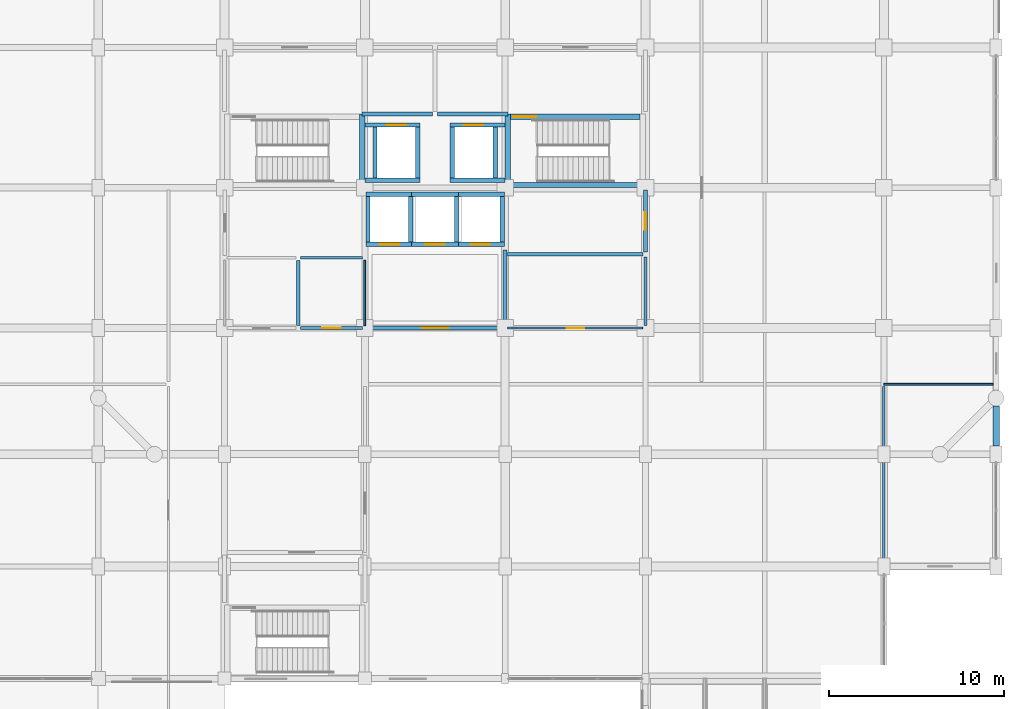
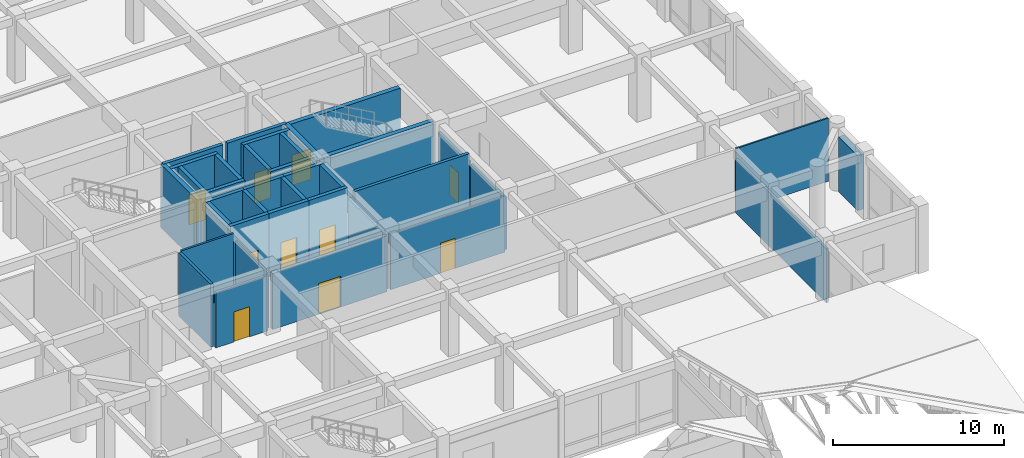
# One storey, part 54 of 61: 37 walls, 10 doors, 10 openings.
"""IFC4 building model written with IfcOpenShell, lengths in metres."""

from ifc_helpers import new_model, si_unit, direction, frame, frame_2d, origin, place, context, subcontext, project, spatial, rectangle, extrude, material, layer, layer_set, type_object, element, fill, save


model = new_model("IFC4")

# Units and contexts
model_context = context("Model", 3, precision=1e-05, world=origin(), true_north=direction((0.0, 1.0)))
body_context = subcontext(model_context, "Body", "Model", "MODEL_VIEW")
ifc_project = project(units=[si_unit("LENGTHUNIT", "METRE"), si_unit("AREAUNIT", "SQUARE_METRE"), si_unit("VOLUMEUNIT", "CUBIC_METRE"), si_unit("PLANEANGLEUNIT", "RADIAN"), si_unit("MASSUNIT", "GRAM", prefix="KILO")], contexts=[model_context])

# Site, building, storey
site_placement = place(None, origin())
site = spatial("IfcSite", under=ifc_project, at=site_placement, CompositionType="ELEMENT")
building_placement = place(site_placement, origin())
building = spatial("IfcBuilding", under=site, at=building_placement, Name="Vellmiral Cinema and Media Centre", CompositionType="ELEMENT")
storey_placement = place(building_placement, frame((0.0, 0.0, 10.800048828125)))
storey = spatial("IfcBuildingStorey", under=building, at=storey_placement, Name="L02", CompositionType="ELEMENT", Elevation=10.800048828125)

# Wall
ifc_material_1 = material(Name="Concrete C40/50", Category="concrete")
ifc_layer_1 = layer(ifc_material_1, 0.2099609375, Name="Concrete C40/50")
ifc_layer_set_1 = layer_set([ifc_layer_1], Name="Concrete C40/50")
wall_type_1 = type_object("IfcWallType", Name="WL-COMP-210", PredefinedType="SOLIDWALL", material=ifc_layer_set_1)
wall_1_placement = place(storey_placement, frame((140.139892578125, 83.39990234375, 0.0), z_axis=(0.0, 0.0, 1.0), x_axis=(1.0, 0.0, 0.0)))
element("IfcWall", 1, at=wall_1_placement, inside=storey, type_object=wall_type_1, Name="Mechanical Smoke Riser Room Wall S", PredefinedType="SOLIDWALL", context=body_context, shape_type="SweptSolid", body=[
    extrude(rectangle(XDim=7.72021484375, YDim=0.2099609375, at=frame_2d((3.860107421875, 0.0))), origin(), (0.0, 0.0, 1.0), 4.5),
])

# Wall, opening, door
wall_2_placement = place(storey_placement, frame((148.0, 83.5400390625, 0.0), z_axis=(0.0, 0.0, 1.0), x_axis=(0.0, 1.0, 0.0)))
wall_2 = element("IfcWall", 2, at=wall_2_placement, inside=storey, type_object=wall_type_1, Name="Mechanical Smoke Riser Room Wall E", PredefinedType="SOLIDWALL", context=body_context, shape_type="SweptSolid", body=[
    extrude(rectangle(XDim=3.52001953125, YDim=0.2099609375, at=frame_2d((1.760009765625, 0.0))), origin(), (0.0, 0.0, 1.0), 3.744873046875),
])
opening_1_placement = place(wall_2_placement, frame((1.260009765625, 0.0, 0.0)))
opening_1 = element("IfcOpeningElement", 3, at=opening_1_placement, cuts=wall_2, Name="Opening D-FD30B", PredefinedType="OPENING", context=body_context, shape_type="SweptSolid", body=[
    extrude(rectangle(XDim=1.0, YDim=2.14990234375, at=frame_2d((0.5, 1.074951171875))), frame((0.0, 0.116943359375, 0.0), z_axis=(0.0, -1.0, 0.0), x_axis=(1.0, 0.0, 0.0)), (0.0, 0.0, 1.0), 0.23388671875),
])
ifc_material_2 = material(Name="Steel Riser Fire Door", Category="steel")
door_type_1 = type_object("IfcDoorType", Name="DR-FD30-1000x2150", OperationType="NOTDEFINED", PredefinedType="DOOR", material=ifc_material_2)
door_1_placement = place(opening_1_placement, origin())
door_1 = element("IfcDoor", 4, at=door_1_placement, inside=storey, type_object=door_type_1, Name="Mechanical Smoke Riser Room Door", OperationType="SINGLE_SWING_RIGHT", OverallHeight=2.14990234375, OverallWidth=1.0, PredefinedType="DOOR", context=body_context, shape_type="SweptSolid", body=[
    extrude(rectangle(XDim=1.0, YDim=2.14990234375, at=frame_2d((0.5, 1.074951171875))), frame((0.0, 0.02490234375, 0.0), z_axis=(0.0, -1.0, 0.0), x_axis=(1.0, 0.0, 0.0)), (0.0, 0.0, 1.0), 0.050048828125),
])
fill(opening_1, door_1)

# Walls
ifc_material_3 = material(Name="Concrete C40/50", Category="concrete")
ifc_layer_2 = layer(ifc_material_3, 0.300048828125, Name="Concrete C40/50")
ifc_layer_set_2 = layer_set([ifc_layer_2], Name="Concrete C40/50")
wall_type_2 = type_object("IfcWallType", Name="WL-CORE-300", PredefinedType="SHEAR", material=ifc_layer_set_2)
for number, where, z_axis, x_axis, name in (
    (5, (131.85009765625, 87.199951171875, 0.0), (0.0, 0.0, 1.0), (0.0, 1.0, 0.0), "Stair Core Wall ST-T1 L02-E"),
    (6, (140.14990234375, 87.199951171875, 0.0), (0.0, 0.0, 1.0), (0.0, 1.0, 0.0), "Stair Core Wall ST-T2 L02-W"),
):
    element("IfcWall", number, at=place(storey_placement, frame(where, z_axis=z_axis, x_axis=x_axis)), inside=storey, type_object=wall_type_2, Name=name, PredefinedType="SHEAR", context=body_context, shape_type="SweptSolid", body=[
        extrude(rectangle(XDim=4.199951171875, YDim=0.300048828125, at=frame_2d((2.10009765625, 0.0))), origin(), (0.0, 0.0, 1.0), 4.5),
    ])
wall_3_placement = place(storey_placement, frame((140.300048828125, 87.35009765625, 0.0), z_axis=(0.0, 0.0, 1.0), x_axis=(1.0, 0.0, 0.0)))
element("IfcWall", 7, at=wall_3_placement, inside=storey, type_object=wall_type_2, Name="Stair Core Wall ST-T2 L02-S", PredefinedType="SHEAR", context=body_context, shape_type="SweptSolid", body=[
    extrude(rectangle(XDim=7.39990234375, YDim=0.300048828125, at=frame_2d((3.699951171875, 0.0))), origin(), (0.0, 0.0, 1.0), 4.5),
])

# Wall, opening, door
wall_4_placement = place(storey_placement, frame((140.300048828125, 91.25, 0.0), z_axis=(0.0, 0.0, 1.0), x_axis=(1.0, 0.0, 0.0)))
wall_4 = element("IfcWall", 8, at=wall_4_placement, inside=storey, type_object=wall_type_2, Name="Stair Core Wall ST-T2 L02-N", PredefinedType="SHEAR", context=body_context, shape_type="SweptSolid", body=[
    extrude(rectangle(XDim=7.39990234375, YDim=0.300048828125, at=frame_2d((3.699951171875, 0.0))), origin(), (0.0, 0.0, 1.0), 4.5),
])
opening_2_placement = place(wall_4_placement, frame((0.159912109375, 0.0, 0.0)))
opening_2 = element("IfcOpeningElement", 9, at=opening_2_placement, cuts=wall_4, Name="Opening D-FD30A", PredefinedType="OPENING", context=body_context, shape_type="SweptSolid", body=[
    extrude(rectangle(XDim=1.300048828125, YDim=2.179931640625, at=frame_2d((0.64990234375, 1.08984375))), frame((0.0, 0.162109375, 0.0), z_axis=(0.0, -1.0, 0.0), x_axis=(1.0, 0.0, 0.0)), (0.0, 0.0, 1.0), 0.323974609375),
])
ifc_material_4 = material(Name="Steel Stair Fire Door", Category="steel")
door_type_2 = type_object("IfcDoorType", Name="DR-FD30-1300x2180", OperationType="NOTDEFINED", PredefinedType="DOOR", material=ifc_material_4)
door_2_placement = place(opening_2_placement, frame((1.300048828125, 0.0, 0.0), z_axis=(0.0, 0.0, 1.0), x_axis=(-1.0, 0.0, 0.0)))
door_2 = element("IfcDoor", 10, at=door_2_placement, inside=storey, type_object=door_type_2, Name="Protected Stair Door ST-T2 L02", OperationType="SINGLE_SWING_RIGHT", OverallHeight=2.179931640625, OverallWidth=1.300048828125, PredefinedType="DOOR", context=body_context, shape_type="SweptSolid", body=[
    extrude(rectangle(XDim=1.300048828125, YDim=2.179931640625, at=frame_2d((0.64990234375, 1.08984375))), frame((0.0, 0.02490234375, 0.0), z_axis=(0.0, -1.0, 0.0), x_axis=(1.0, 0.0, 0.0)), (0.0, 0.0, 1.0), 0.050048828125),
])
fill(opening_2, door_2)

# Walls
ifc_material_5 = material(Name="Vosges Red Sandstone Masonry", Category="masonry")
ifc_layer_3 = layer(ifc_material_5, 0.3798828125, Name="Vosges Red Sandstone Masonry")
ifc_layer_set_3 = layer_set([ifc_layer_3], Name="Vosges Red Sandstone Masonry")
wall_type_3 = type_object("IfcWallType", Name="WL-EXT-SAND-380", PredefinedType="SOLIDWALL", material=ifc_layer_set_3)
wall_5_placement = place(storey_placement, frame((168.0, 72.47509765625, 0.0), z_axis=(0.0, 0.0, 1.0), x_axis=(0.0, 1.0, 0.0)))
element("IfcWall", 11, at=wall_5_placement, inside=storey, type_object=wall_type_3, Name="Exterior Facade Wall L02-044", PredefinedType="SOLIDWALL", context=body_context, shape_type="SweptSolid", body=[
    extrude(rectangle(XDim=2.27490234375, YDim=0.3798828125, at=frame_2d((1.137451171875, 0.0))), origin(), (0.0, 0.0, 1.0), 3.89990234375),
])
ifc_material_6 = material(Name="Concrete C40/50", Category="concrete")
ifc_layer_4 = layer(ifc_material_6, 0.22998046875, Name="Concrete C40/50")
ifc_layer_set_4 = layer_set([ifc_layer_4], Name="Concrete C40/50")
wall_type_4 = type_object("IfcWallType", Name="WL-FFL-230", PredefinedType="SOLIDWALL", material=ifc_layer_set_4)
for number, where, z_axis, x_axis, name in (
    (12, (131.840087890625, 91.39990234375, 0.0), (0.0, 0.0, 1.0), (1.0, 0.0, 0.0), "Firefighting Lobby West Wall S"),
    (13, (136.139892578125, 91.39990234375, 0.0), (0.0, 0.0, 1.0), (1.0, 0.0, 0.0), "Firefighting Lobby East Wall S"),
):
    element("IfcWall", number, at=place(storey_placement, frame(where, z_axis=z_axis, x_axis=x_axis)), inside=storey, type_object=wall_type_4, Name=name, PredefinedType="SOLIDWALL", context=body_context, shape_type="SweptSolid", body=[
        extrude(rectangle(XDim=4.02001953125, YDim=0.22998046875, at=frame_2d((2.010009765625, 0.0))), origin(), (0.0, 0.0, 1.0), 4.5),
    ])

# Wall, opening, door
wall_6_placement = place(storey_placement, frame((132.139892578125, 79.199951171875, 0.0), z_axis=(0.0, 0.0, 1.0), x_axis=(1.0, 0.0, 0.0)))
wall_6 = element("IfcWall", 14, at=wall_6_placement, inside=storey, type_object=wall_type_4, Name="Tower Passenger Lift Lobby Wall S", PredefinedType="SOLIDWALL", context=body_context, shape_type="SweptSolid", body=[
    extrude(rectangle(XDim=7.72021484375, YDim=0.22998046875, at=frame_2d((3.860107421875, 0.0))), origin(), (0.0, 0.0, 1.0), 3.994873046875),
])
opening_3_placement = place(wall_6_placement, frame((3.110107421875, 0.0, 0.0)))
opening_3 = element("IfcOpeningElement", 15, at=opening_3_placement, cuts=wall_6, Name="Opening D-FD30", PredefinedType="OPENING", context=body_context, shape_type="SweptSolid", body=[
    extrude(rectangle(XDim=1.5, YDim=2.199951171875, at=frame_2d((0.75, 1.10009765625))), frame((0.0, 0.126953125, 0.0), z_axis=(0.0, -1.0, 0.0), x_axis=(1.0, 0.0, 0.0)), (0.0, 0.0, 1.0), 0.25390625),
])
ifc_material_7 = material(Name="Timber-Core Fire Door", Category="wood")
door_type_3 = type_object("IfcDoorType", Name="DR-FD30-1500x2200", OperationType="DOUBLE_DOOR_SINGLE_SWING", PredefinedType="DOOR", material=ifc_material_7)
door_3_placement = place(opening_3_placement, frame((1.5, 0.0, 0.0), z_axis=(0.0, 0.0, 1.0), x_axis=(-1.0, 0.0, 0.0)))
door_3 = element("IfcDoor", 16, at=door_3_placement, inside=storey, type_object=door_type_3, Name="Tower Passenger Lift Lobby Door", OperationType="DOUBLE_DOOR_SINGLE_SWING", OverallHeight=2.199951171875, OverallWidth=1.5, PredefinedType="DOOR", context=body_context, shape_type="SweptSolid", body=[
    extrude(rectangle(XDim=1.5, YDim=2.199951171875, at=frame_2d((0.75, 1.10009765625))), frame((0.0, 0.02490234375, 0.0), z_axis=(0.0, -1.0, 0.0), x_axis=(1.0, 0.0, 0.0)), (0.0, 0.0, 1.0), 0.050048828125),
])
fill(opening_3, door_3)

# Walls
wall_7_placement = place(storey_placement, frame((140.0, 79.340087890625, 0.0), z_axis=(0.0, 0.0, 1.0), x_axis=(0.0, 1.0, 0.0)))
element("IfcWall", 17, at=wall_7_placement, inside=storey, type_object=wall_type_4, Name="Tower Passenger Lift Lobby Wall E", PredefinedType="SOLIDWALL", context=body_context, shape_type="SweptSolid", body=[
    extrude(rectangle(XDim=4.31982421875, YDim=0.22998046875, at=frame_2d((2.159912109375, 0.0))), origin(), (0.0, 0.0, 1.0), 3.89501953125),
])
ifc_material_8 = material(Name="Gypsum Plasterboard")
ifc_layer_5 = layer(ifc_material_8, 0.02490234375, Name="Gypsum Plasterboard", Category="gypsum")
ifc_material_9 = material(Name="Mineral Wool Acoustic Insulation", Category="insulation")
ifc_layer_6 = layer(ifc_material_9, 0.06005859375, Name="Mineral Wool Acoustic Insulation", Category="insulation")
ifc_layer_7 = layer(ifc_material_8, 0.02490234375, Name="Gypsum Plasterboard", Category="gypsum")
ifc_layer_set_5 = layer_set([ifc_layer_5, ifc_layer_6, ifc_layer_7], Name="Gypsum Plasterboard")
wall_type_5 = type_object("IfcWallType", Name="WL-PART-110", PredefinedType="PARTITIONING", material=ifc_layer_set_5)
wall_8_placement = place(storey_placement, frame((132.0, 79.340087890625, 0.0), z_axis=(0.0, 0.0, 1.0), x_axis=(0.0, 1.0, 0.0)))
element("IfcWall", 18, at=wall_8_placement, inside=storey, type_object=wall_type_5, Name="Accessible WC Wall E", PredefinedType="PARTITIONING", context=body_context, shape_type="SweptSolid", body=[
    extrude(rectangle(XDim=3.719970703125, YDim=0.110107421875, at=frame_2d((1.85986328125, 0.0))), origin(), (0.0, 0.0, 1.0), 3.994873046875),
])

# Wall, opening, door
wall_9_placement = place(storey_placement, frame((140.139892578125, 79.199951171875, 0.0), z_axis=(0.0, 0.0, 1.0), x_axis=(1.0, 0.0, 0.0)))
wall_9 = element("IfcWall", 19, at=wall_9_placement, inside=storey, type_object=wall_type_5, Name="Cleaner and Media Supply Store Wall S", PredefinedType="PARTITIONING", context=body_context, shape_type="SweptSolid", body=[
    extrude(rectangle(XDim=7.72021484375, YDim=0.110107421875, at=frame_2d((3.860107421875, 0.0))), origin(), (0.0, 0.0, 1.0), 3.994873046875),
])
opening_4_placement = place(wall_9_placement, frame((3.360107421875, 0.0, 0.0)))
opening_4 = element("IfcOpeningElement", 20, at=opening_4_placement, cuts=wall_9, Name="Opening D-I08", PredefinedType="OPENING", context=body_context, shape_type="SweptSolid", body=[
    extrude(rectangle(XDim=1.0, YDim=2.14990234375, at=frame_2d((0.5, 1.074951171875))), frame((0.0, 0.06689453125, 0.0), z_axis=(0.0, -1.0, 0.0), x_axis=(1.0, 0.0, 0.0)), (0.0, 0.0, 1.0), 0.134033203125),
])
ifc_material_10 = material(Name="Laminated Timber Door", Category="wood")
door_type_4 = type_object("IfcDoorType", Name="DR-INT-1000x2150", OperationType="NOTDEFINED", PredefinedType="DOOR", material=ifc_material_10)
door_4_placement = place(opening_4_placement, origin())
door_4 = element("IfcDoor", 21, at=door_4_placement, inside=storey, type_object=door_type_4, Name="Cleaner and Media Supply Store Door", OperationType="SINGLE_SWING_LEFT", OverallHeight=2.14990234375, OverallWidth=1.0, PredefinedType="DOOR", context=body_context, shape_type="SweptSolid", body=[
    extrude(rectangle(XDim=1.0, YDim=2.14990234375, at=frame_2d((0.5, 1.074951171875))), frame((0.0, 0.02490234375, 0.0), z_axis=(0.0, -1.0, 0.0), x_axis=(1.0, 0.0, 0.0)), (0.0, 0.0, 1.0), 0.050048828125),
])
fill(opening_4, door_4)

# Walls
wall_10_placement = place(storey_placement, frame((161.60009765625, 76.0, 0.0), z_axis=(0.0, 0.0, 1.0), x_axis=(1.0, 0.0, 0.0)))
element("IfcWall", 22, at=wall_10_placement, inside=storey, type_object=wall_type_5, Name="Tower L02 Broadcast Editorial Suite East Wall S", PredefinedType="PARTITIONING", context=body_context, shape_type="SweptSolid", body=[
    extrude(rectangle(XDim=6.224853515625, YDim=0.110107421875, at=frame_2d((3.1123046875, 0.0))), origin(), (0.0, 0.0, 1.0), 4.5),
])
ifc_material_11 = material(Name="Gypsum Plasterboard")
ifc_layer_8 = layer(ifc_material_11, 0.02490234375, Name="Gypsum Plasterboard", Category="gypsum")
ifc_material_12 = material(Name="Mineral Wool Acoustic Insulation", Category="insulation")
ifc_layer_9 = layer(ifc_material_12, 0.080078125, Name="Mineral Wool Acoustic Insulation", Category="insulation")
ifc_layer_10 = layer(ifc_material_11, 0.02490234375, Name="Gypsum Plasterboard", Category="gypsum")
ifc_layer_set_6 = layer_set([ifc_layer_8, ifc_layer_9, ifc_layer_10], Name="Gypsum Plasterboard")
wall_type_6 = type_object("IfcWallType", Name="WL-PART-130", PredefinedType="PARTITIONING", material=ifc_layer_set_6)
wall_11_placement = place(storey_placement, frame((128.340087890625, 83.199951171875, 0.0), z_axis=(0.0, 0.0, 1.0), x_axis=(1.0, 0.0, 0.0)))
element("IfcWall", 23, at=wall_11_placement, inside=storey, type_object=wall_type_6, Name="Accessible WC Wall N", PredefinedType="PARTITIONING", context=body_context, shape_type="SweptSolid", body=[
    extrude(rectangle(XDim=3.52001953125, YDim=0.1298828125, at=frame_2d((1.760009765625, 0.0))), origin(), (0.0, 0.0, 1.0), 4.5),
])

# Wall, opening, door
ifc_material_13 = material(Name="Gypsum Plasterboard")
ifc_layer_11 = layer(ifc_material_13, 0.02490234375, Name="Gypsum Plasterboard", Category="gypsum")
ifc_material_14 = material(Name="Mineral Wool Acoustic Insulation", Category="insulation")
ifc_layer_12 = layer(ifc_material_14, 0.10009765625, Name="Mineral Wool Acoustic Insulation", Category="insulation")
ifc_layer_13 = layer(ifc_material_13, 0.02490234375, Name="Gypsum Plasterboard", Category="gypsum")
ifc_layer_set_7 = layer_set([ifc_layer_11, ifc_layer_12, ifc_layer_13], Name="Gypsum Plasterboard")
wall_type_7 = type_object("IfcWallType", Name="WL-PART-150", PredefinedType="PARTITIONING", material=ifc_layer_set_7)
wall_12_placement = place(storey_placement, frame((128.340087890625, 79.199951171875, 0.0), z_axis=(0.0, 0.0, 1.0), x_axis=(1.0, 0.0, 0.0)))
wall_12 = element("IfcWall", 24, at=wall_12_placement, inside=storey, type_object=wall_type_7, Name="Accessible WC Wall S", PredefinedType="PARTITIONING", context=body_context, shape_type="SweptSolid", body=[
    extrude(rectangle(XDim=3.52001953125, YDim=0.14990234375, at=frame_2d((1.760009765625, 0.0))), origin(), (0.0, 0.0, 1.0), 3.945068359375),
])
opening_5_placement = place(wall_12_placement, frame((1.235107421875, 0.0, 0.0)))
opening_5 = element("IfcOpeningElement", 25, at=opening_5_placement, cuts=wall_12, Name="Opening D-I10", PredefinedType="OPENING", context=body_context, shape_type="SweptSolid", body=[
    extrude(rectangle(XDim=1.050048828125, YDim=2.14990234375, at=frame_2d((0.52490234375, 1.074951171875))), frame((0.0, 0.0869140625, 0.0), z_axis=(0.0, -1.0, 0.0), x_axis=(1.0, 0.0, 0.0)), (0.0, 0.0, 1.0), 0.173828125),
])
ifc_material_15 = material(Name="Barrier-Free Timber Door", Category="wood")
door_type_5 = type_object("IfcDoorType", Name="DR-ACC-1050x2150", OperationType="NOTDEFINED", PredefinedType="DOOR", material=ifc_material_15)
door_5_placement = place(opening_5_placement, origin())
door_5 = element("IfcDoor", 26, at=door_5_placement, inside=storey, type_object=door_type_5, Name="Accessible WC Door", OperationType="SINGLE_SWING_LEFT", OverallHeight=2.14990234375, OverallWidth=1.050048828125, PredefinedType="DOOR", context=body_context, shape_type="SweptSolid", body=[
    extrude(rectangle(XDim=1.050048828125, YDim=2.14990234375, at=frame_2d((0.52490234375, 1.074951171875))), frame((0.0, 0.02490234375, 0.0), z_axis=(0.0, -1.0, 0.0), x_axis=(1.0, 0.0, 0.0)), (0.0, 0.0, 1.0), 0.050048828125),
])
fill(opening_5, door_5)

# Walls
wall_13_placement = place(storey_placement, frame((161.60009765625, 65.264892578125, 0.0), z_axis=(0.0, 0.0, 1.0), x_axis=(0.0, 1.0, 0.0)))
element("IfcWall", 27, at=wall_13_placement, inside=storey, type_object=wall_type_7, Name="Tower L02 Broadcast Editorial Suite South Wall E", PredefinedType="PARTITIONING", context=body_context, shape_type="SweptSolid", body=[
    extrude(rectangle(XDim=10.59521484375, YDim=0.14990234375, at=frame_2d((5.297607421875, 0.0))), origin(), (0.0, 0.0, 1.0), 3.844970703125),
])
ifc_material_16 = material(Name="Gypsum Plasterboard")
ifc_layer_14 = layer(ifc_material_16, 0.02490234375, Name="Gypsum Plasterboard", Category="gypsum")
ifc_material_17 = material(Name="Mineral Wool Acoustic Insulation", Category="insulation")
ifc_layer_15 = layer(ifc_material_17, 0.139892578125, Name="Mineral Wool Acoustic Insulation", Category="insulation")
ifc_layer_16 = layer(ifc_material_16, 0.02490234375, Name="Gypsum Plasterboard", Category="gypsum")
ifc_layer_set_8 = layer_set([ifc_layer_14, ifc_layer_15, ifc_layer_16], Name="Gypsum Plasterboard")
wall_type_8 = type_object("IfcWallType", Name="WL-PART-190", PredefinedType="PARTITIONING", material=ifc_layer_set_8)
wall_14_placement = place(storey_placement, frame((128.199951171875, 79.340087890625, 0.0), z_axis=(0.0, 0.0, 1.0), x_axis=(0.0, 1.0, 0.0)))
element("IfcWall", 28, at=wall_14_placement, inside=storey, type_object=wall_type_8, Name="Staff WC Wall E", PredefinedType="PARTITIONING", context=body_context, shape_type="SweptSolid", body=[
    extrude(rectangle(XDim=3.719970703125, YDim=0.18994140625, at=frame_2d((1.85986328125, 0.0))), origin(), (0.0, 0.0, 1.0), 4.5),
])
wall_15_placement = place(storey_placement, frame((148.0, 79.340087890625, 0.0), z_axis=(0.0, 0.0, 1.0), x_axis=(0.0, 1.0, 0.0)))
element("IfcWall", 29, at=wall_15_placement, inside=storey, type_object=wall_type_8, Name="Cleaner and Media Supply Store Wall E", PredefinedType="PARTITIONING", context=body_context, shape_type="SweptSolid", body=[
    extrude(rectangle(XDim=3.919921875, YDim=0.18994140625, at=frame_2d((1.9599609375, 0.0))), origin(), (0.0, 0.0, 1.0), 3.744873046875),
])
ifc_material_18 = material(Name="Concrete C40/50", Category="concrete")
ifc_layer_17 = layer(ifc_material_18, 0.25, Name="Concrete C40/50")
ifc_layer_set_9 = layer_set([ifc_layer_17], Name="Concrete C40/50")
wall_type_9 = type_object("IfcWallType", Name="WL-SHAFT-250", PredefinedType="SHEAR", material=ifc_layer_set_9)
wall_16_placement = place(storey_placement, frame((132.0, 87.625, 0.0), z_axis=(0.0, 0.0, 1.0), x_axis=(1.0, 0.0, 0.0)))
element("IfcWall", 30, at=wall_16_placement, inside=storey, type_object=wall_type_9, Name="Lift Shaft Wall LF-FF1 L02-S", PredefinedType="SHEAR", context=body_context, shape_type="SweptSolid", body=[
    extrude(rectangle(XDim=3.14990234375, YDim=0.25, at=frame_2d((1.574951171875, 0.0))), origin(), (0.0, 0.0, 1.0), 4.5),
])

# Wall, opening, door
wall_17_placement = place(storey_placement, frame((132.0, 90.77490234375, 0.0), z_axis=(0.0, 0.0, 1.0), x_axis=(1.0, 0.0, 0.0)))
wall_17 = element("IfcWall", 31, at=wall_17_placement, inside=storey, type_object=wall_type_9, Name="Lift Shaft Wall LF-FF1 L02-N", PredefinedType="SHEAR", context=body_context, shape_type="SweptSolid", body=[
    extrude(rectangle(XDim=3.14990234375, YDim=0.25, at=frame_2d((1.574951171875, 0.0))), origin(), (0.0, 0.0, 1.0), 4.5),
])
opening_6_placement = place(wall_17_placement, frame((1.25, 0.0, 0.0)))
opening_6 = element("IfcOpeningElement", 32, at=opening_6_placement, cuts=wall_17, Name="Opening LD-01", PredefinedType="OPENING", context=body_context, shape_type="SweptSolid", body=[
    extrude(rectangle(XDim=1.10009765625, YDim=2.14990234375, at=frame_2d((0.550048828125, 1.074951171875))), frame((0.0, 0.136962890625, 0.0), z_axis=(0.0, -1.0, 0.0), x_axis=(1.0, 0.0, 0.0)), (0.0, 0.0, 1.0), 0.27392578125),
])
ifc_material_19 = material(Name="Stainless Steel Lift Landing Door", Category="steel")
door_type_6 = type_object("IfcDoorType", Name="DR-LIFT-1100x2150", OperationType="SLIDING_TO_LEFT", PredefinedType="DOOR", material=ifc_material_19)
door_6_placement = place(opening_6_placement, origin())
door_6 = element("IfcDoor", 33, at=door_6_placement, inside=storey, type_object=door_type_6, Name="Lift Landing Door LF-FF1 L02", OperationType="SLIDING_TO_LEFT", OverallHeight=2.14990234375, OverallWidth=1.10009765625, PredefinedType="DOOR", context=body_context, shape_type="SweptSolid", body=[
    extrude(rectangle(XDim=1.10009765625, YDim=2.14990234375, at=frame_2d((0.550048828125, 1.074951171875))), frame((0.0, 0.02490234375, 0.0), z_axis=(0.0, -1.0, 0.0), x_axis=(1.0, 0.0, 0.0)), (0.0, 0.0, 1.0), 0.050048828125),
])
fill(opening_6, door_6)

# Walls
for number, where, z_axis, x_axis, name in (
    (34, (132.574951171875, 87.75, 0.0), (0.0, 0.0, 1.0), (0.0, 1.0, 0.0), "Lift Shaft Wall LF-FF1 L02-W"),
    (35, (135.02490234375, 87.75, 0.0), (0.0, 0.0, 1.0), (0.0, 1.0, 0.0), "Lift Shaft Wall LF-FF1 L02-E"),
):
    element("IfcWall", number, at=place(storey_placement, frame(where, z_axis=z_axis, x_axis=x_axis)), inside=storey, type_object=wall_type_9, Name=name, PredefinedType="SHEAR", context=body_context, shape_type="SweptSolid", body=[
        extrude(rectangle(XDim=2.89990234375, YDim=0.25, at=frame_2d((1.449951171875, 0.0))), origin(), (0.0, 0.0, 1.0), 4.5),
    ])
wall_18_placement = place(storey_placement, frame((136.85009765625, 87.625, 0.0), z_axis=(0.0, 0.0, 1.0), x_axis=(1.0, 0.0, 0.0)))
element("IfcWall", 36, at=wall_18_placement, inside=storey, type_object=wall_type_9, Name="Lift Shaft Wall LF-FF2 L02-S", PredefinedType="SHEAR", context=body_context, shape_type="SweptSolid", body=[
    extrude(rectangle(XDim=3.14990234375, YDim=0.25, at=frame_2d((1.574951171875, 0.0))), origin(), (0.0, 0.0, 1.0), 4.5),
])

# Wall, opening, door
wall_19_placement = place(storey_placement, frame((136.85009765625, 90.77490234375, 0.0), z_axis=(0.0, 0.0, 1.0), x_axis=(1.0, 0.0, 0.0)))
wall_19 = element("IfcWall", 37, at=wall_19_placement, inside=storey, type_object=wall_type_9, Name="Lift Shaft Wall LF-FF2 L02-N", PredefinedType="SHEAR", context=body_context, shape_type="SweptSolid", body=[
    extrude(rectangle(XDim=3.14990234375, YDim=0.25, at=frame_2d((1.574951171875, 0.0))), origin(), (0.0, 0.0, 1.0), 4.5),
])
opening_7_placement = place(wall_19_placement, frame((0.800048828125, 0.0, 0.0)))
opening_7 = element("IfcOpeningElement", 38, at=opening_7_placement, cuts=wall_19, Name="Opening LD-01", PredefinedType="OPENING", context=body_context, shape_type="SweptSolid", body=[
    extrude(rectangle(XDim=1.10009765625, YDim=2.14990234375, at=frame_2d((0.550048828125, 1.074951171875))), frame((0.0, 0.136962890625, 0.0), z_axis=(0.0, -1.0, 0.0), x_axis=(1.0, 0.0, 0.0)), (0.0, 0.0, 1.0), 0.27392578125),
])
door_7_placement = place(opening_7_placement, origin())
door_7 = element("IfcDoor", 39, at=door_7_placement, inside=storey, type_object=door_type_6, Name="Lift Landing Door LF-FF2 L02", OperationType="SLIDING_TO_LEFT", OverallHeight=2.14990234375, OverallWidth=1.10009765625, PredefinedType="DOOR", context=body_context, shape_type="SweptSolid", body=[
    extrude(rectangle(XDim=1.10009765625, YDim=2.14990234375, at=frame_2d((0.550048828125, 1.074951171875))), frame((0.0, 0.02490234375, 0.0), z_axis=(0.0, -1.0, 0.0), x_axis=(1.0, 0.0, 0.0)), (0.0, 0.0, 1.0), 0.050048828125),
])
fill(opening_7, door_7)

# Walls
for number, where, z_axis, x_axis, name in (
    (40, (136.97509765625, 87.75, 0.0), (0.0, 0.0, 1.0), (0.0, 1.0, 0.0), "Lift Shaft Wall LF-FF2 L02-W"),
    (41, (139.425048828125, 87.75, 0.0), (0.0, 0.0, 1.0), (0.0, 1.0, 0.0), "Lift Shaft Wall LF-FF2 L02-E"),
):
    element("IfcWall", number, at=place(storey_placement, frame(where, z_axis=z_axis, x_axis=x_axis)), inside=storey, type_object=wall_type_9, Name=name, PredefinedType="SHEAR", context=body_context, shape_type="SweptSolid", body=[
        extrude(rectangle(XDim=2.89990234375, YDim=0.25, at=frame_2d((1.449951171875, 0.0))), origin(), (0.0, 0.0, 1.0), 4.5),
    ])

# Wall, opening, door
wall_20_placement = place(storey_placement, frame((132.050048828125, 83.97509765625, 0.0), z_axis=(0.0, 0.0, 1.0), x_axis=(1.0, 0.0, 0.0)))
wall_20 = element("IfcWall", 42, at=wall_20_placement, inside=storey, type_object=wall_type_9, Name="Lift Shaft Wall LF-P1 L02-S", PredefinedType="SHEAR", context=body_context, shape_type="SweptSolid", body=[
    extrude(rectangle(XDim=2.699951171875, YDim=0.25, at=frame_2d((1.35009765625, 0.0))), origin(), (0.0, 0.0, 1.0), 4.5),
])
opening_8_placement = place(wall_20_placement, frame((0.800048828125, 0.0, 0.0)))
opening_8 = element("IfcOpeningElement", 43, at=opening_8_placement, cuts=wall_20, Name="Opening LD-01", PredefinedType="OPENING", context=body_context, shape_type="SweptSolid", body=[
    extrude(rectangle(XDim=1.10009765625, YDim=2.14990234375, at=frame_2d((0.550048828125, 1.074951171875))), frame((0.0, 0.136962890625, 0.0), z_axis=(0.0, -1.0, 0.0), x_axis=(1.0, 0.0, 0.0)), (0.0, 0.0, 1.0), 0.27392578125),
])
door_8_placement = place(opening_8_placement, origin())
door_8 = element("IfcDoor", 44, at=door_8_placement, inside=storey, type_object=door_type_6, Name="Lift Landing Door LF-P1 L02", OperationType="SLIDING_TO_LEFT", OverallHeight=2.14990234375, OverallWidth=1.10009765625, PredefinedType="DOOR", context=body_context, shape_type="SweptSolid", body=[
    extrude(rectangle(XDim=1.10009765625, YDim=2.14990234375, at=frame_2d((0.550048828125, 1.074951171875))), frame((0.0, 0.02490234375, 0.0), z_axis=(0.0, -1.0, 0.0), x_axis=(1.0, 0.0, 0.0)), (0.0, 0.0, 1.0), 0.050048828125),
])
fill(opening_8, door_8)

# Walls
wall_21_placement = place(storey_placement, frame((132.050048828125, 86.824951171875, 0.0), z_axis=(0.0, 0.0, 1.0), x_axis=(1.0, 0.0, 0.0)))
element("IfcWall", 45, at=wall_21_placement, inside=storey, type_object=wall_type_9, Name="Lift Shaft Wall LF-P1 L02-N", PredefinedType="SHEAR", context=body_context, shape_type="SweptSolid", body=[
    extrude(rectangle(XDim=2.699951171875, YDim=0.25, at=frame_2d((1.35009765625, 0.0))), origin(), (0.0, 0.0, 1.0), 4.5),
])
for number, where, z_axis, x_axis, name in (
    (46, (132.175048828125, 84.10009765625, 0.0), (0.0, 0.0, 1.0), (0.0, 1.0, 0.0), "Lift Shaft Wall LF-P1 L02-W"),
    (47, (134.625, 84.10009765625, 0.0), (0.0, 0.0, 1.0), (0.0, 1.0, 0.0), "Lift Shaft Wall LF-P1 L02-E"),
):
    element("IfcWall", number, at=place(storey_placement, frame(where, z_axis=z_axis, x_axis=x_axis)), inside=storey, type_object=wall_type_9, Name=name, PredefinedType="SHEAR", context=body_context, shape_type="SweptSolid", body=[
        extrude(rectangle(XDim=2.599853515625, YDim=0.25, at=frame_2d((1.2998046875, 0.0))), origin(), (0.0, 0.0, 1.0), 4.5),
    ])

# Wall, opening, door
wall_22_placement = place(storey_placement, frame((134.64990234375, 83.97509765625, 0.0), z_axis=(0.0, 0.0, 1.0), x_axis=(1.0, 0.0, 0.0)))
wall_22 = element("IfcWall", 48, at=wall_22_placement, inside=storey, type_object=wall_type_9, Name="Lift Shaft Wall LF-P2 L02-S", PredefinedType="SHEAR", context=body_context, shape_type="SweptSolid", body=[
    extrude(rectangle(XDim=2.7001953125, YDim=0.25, at=frame_2d((1.35009765625, 0.0))), origin(), (0.0, 0.0, 1.0), 4.5),
])
opening_9_placement = place(wall_22_placement, frame((0.800048828125, 0.0, 0.0)))
opening_9 = element("IfcOpeningElement", 49, at=opening_9_placement, cuts=wall_22, Name="Opening LD-01", PredefinedType="OPENING", context=body_context, shape_type="SweptSolid", body=[
    extrude(rectangle(XDim=1.10009765625, YDim=2.14990234375, at=frame_2d((0.550048828125, 1.074951171875))), frame((0.0, 0.136962890625, 0.0), z_axis=(0.0, -1.0, 0.0), x_axis=(1.0, 0.0, 0.0)), (0.0, 0.0, 1.0), 0.27392578125),
])
door_9_placement = place(opening_9_placement, origin())
door_9 = element("IfcDoor", 50, at=door_9_placement, inside=storey, type_object=door_type_6, Name="Lift Landing Door LF-P2 L02", OperationType="SLIDING_TO_LEFT", OverallHeight=2.14990234375, OverallWidth=1.10009765625, PredefinedType="DOOR", context=body_context, shape_type="SweptSolid", body=[
    extrude(rectangle(XDim=1.10009765625, YDim=2.14990234375, at=frame_2d((0.550048828125, 1.074951171875))), frame((0.0, 0.02490234375, 0.0), z_axis=(0.0, -1.0, 0.0), x_axis=(1.0, 0.0, 0.0)), (0.0, 0.0, 1.0), 0.050048828125),
])
fill(opening_9, door_9)

# Walls
wall_23_placement = place(storey_placement, frame((134.64990234375, 86.824951171875, 0.0), z_axis=(0.0, 0.0, 1.0), x_axis=(1.0, 0.0, 0.0)))
element("IfcWall", 51, at=wall_23_placement, inside=storey, type_object=wall_type_9, Name="Lift Shaft Wall LF-P2 L02-N", PredefinedType="SHEAR", context=body_context, shape_type="SweptSolid", body=[
    extrude(rectangle(XDim=2.7001953125, YDim=0.25, at=frame_2d((1.35009765625, 0.0))), origin(), (0.0, 0.0, 1.0), 4.5),
])
wall_24_placement = place(storey_placement, frame((137.22509765625, 84.10009765625, 0.0), z_axis=(0.0, 0.0, 1.0), x_axis=(0.0, 1.0, 0.0)))
element("IfcWall", 52, at=wall_24_placement, inside=storey, type_object=wall_type_9, Name="Lift Shaft Wall LF-P2 L02-E", PredefinedType="SHEAR", context=body_context, shape_type="SweptSolid", body=[
    extrude(rectangle(XDim=2.599853515625, YDim=0.25, at=frame_2d((1.2998046875, 0.0))), origin(), (0.0, 0.0, 1.0), 4.5),
])

# Wall, opening, door
wall_25_placement = place(storey_placement, frame((137.25, 83.97509765625, 0.0), z_axis=(0.0, 0.0, 1.0), x_axis=(1.0, 0.0, 0.0)))
wall_25 = element("IfcWall", 53, at=wall_25_placement, inside=storey, type_object=wall_type_9, Name="Lift Shaft Wall LF-P3 L02-S", PredefinedType="SHEAR", context=body_context, shape_type="SweptSolid", body=[
    extrude(rectangle(XDim=2.699951171875, YDim=0.25, at=frame_2d((1.35009765625, 0.0))), origin(), (0.0, 0.0, 1.0), 4.5),
])
opening_10_placement = place(wall_25_placement, frame((0.800048828125, 0.0, 0.0)))
opening_10 = element("IfcOpeningElement", 54, at=opening_10_placement, cuts=wall_25, Name="Opening LD-01", PredefinedType="OPENING", context=body_context, shape_type="SweptSolid", body=[
    extrude(rectangle(XDim=1.10009765625, YDim=2.14990234375, at=frame_2d((0.550048828125, 1.074951171875))), frame((0.0, 0.136962890625, 0.0), z_axis=(0.0, -1.0, 0.0), x_axis=(1.0, 0.0, 0.0)), (0.0, 0.0, 1.0), 0.27392578125),
])
door_10_placement = place(opening_10_placement, origin())
door_10 = element("IfcDoor", 55, at=door_10_placement, inside=storey, type_object=door_type_6, Name="Lift Landing Door LF-P3 L02", OperationType="SLIDING_TO_LEFT", OverallHeight=2.14990234375, OverallWidth=1.10009765625, PredefinedType="DOOR", context=body_context, shape_type="SweptSolid", body=[
    extrude(rectangle(XDim=1.10009765625, YDim=2.14990234375, at=frame_2d((0.550048828125, 1.074951171875))), frame((0.0, 0.02490234375, 0.0), z_axis=(0.0, -1.0, 0.0), x_axis=(1.0, 0.0, 0.0)), (0.0, 0.0, 1.0), 0.050048828125),
])
fill(opening_10, door_10)

# Walls
wall_26_placement = place(storey_placement, frame((137.25, 86.824951171875, 0.0), z_axis=(0.0, 0.0, 1.0), x_axis=(1.0, 0.0, 0.0)))
element("IfcWall", 56, at=wall_26_placement, inside=storey, type_object=wall_type_9, Name="Lift Shaft Wall LF-P3 L02-N", PredefinedType="SHEAR", context=body_context, shape_type="SweptSolid", body=[
    extrude(rectangle(XDim=2.699951171875, YDim=0.25, at=frame_2d((1.35009765625, 0.0))), origin(), (0.0, 0.0, 1.0), 4.5),
])
wall_27_placement = place(storey_placement, frame((139.824951171875, 84.10009765625, 0.0), z_axis=(0.0, 0.0, 1.0), x_axis=(0.0, 1.0, 0.0)))
element("IfcWall", 57, at=wall_27_placement, inside=storey, type_object=wall_type_9, Name="Lift Shaft Wall LF-P3 L02-E", PredefinedType="SHEAR", context=body_context, shape_type="SweptSolid", body=[
    extrude(rectangle(XDim=2.599853515625, YDim=0.25, at=frame_2d((1.2998046875, 0.0))), origin(), (0.0, 0.0, 1.0), 4.5),
])

save(model, "model.ifc")
